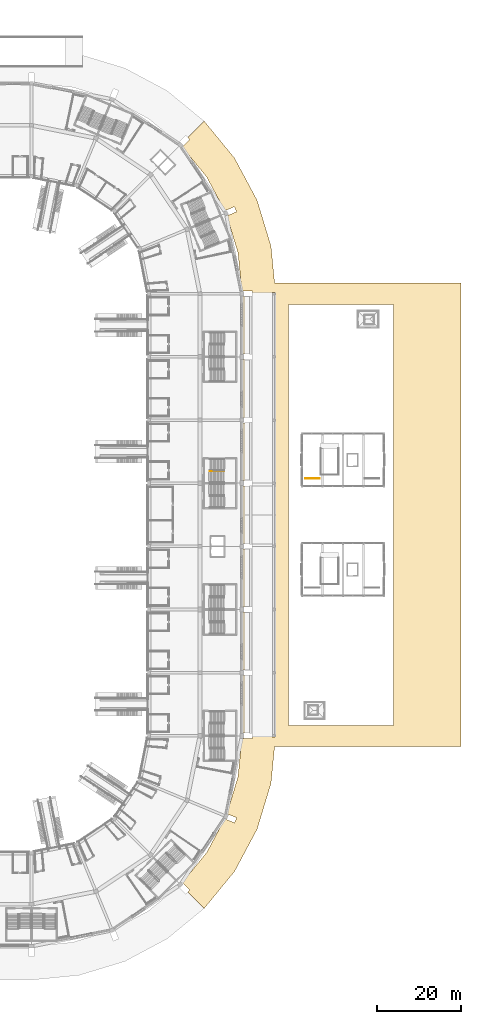
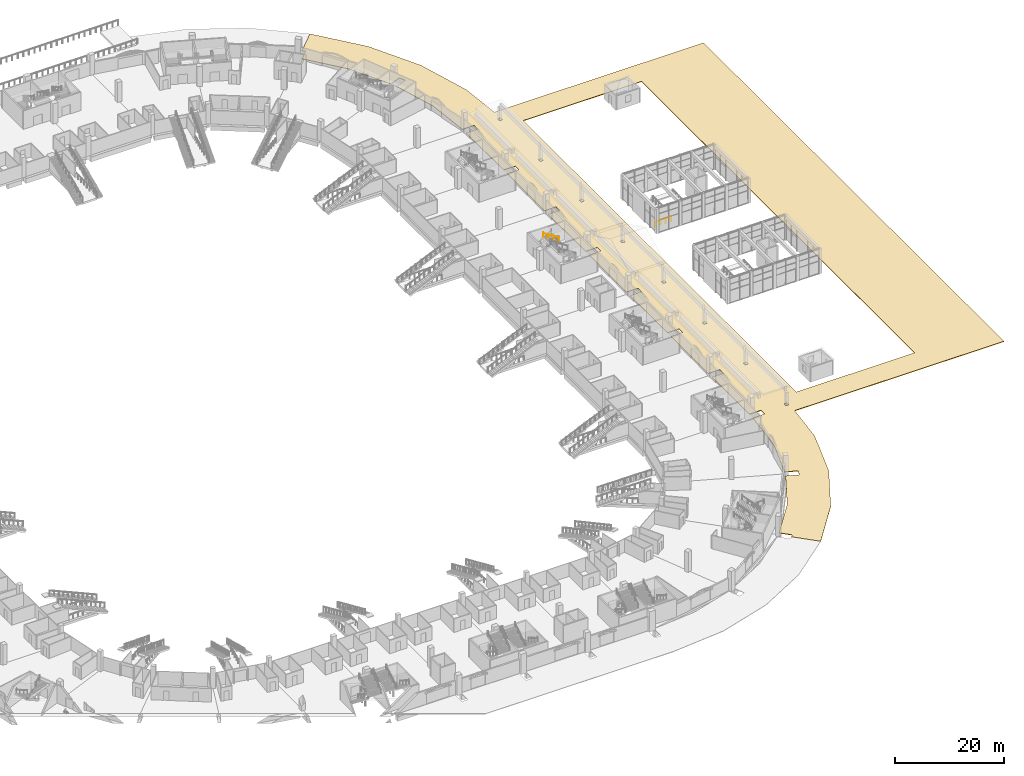
# One storey, part 162 of 175: 2 railings, 1 covering.
"""IFC4 building model written with IfcOpenShell, lengths in metres."""

from ifc_helpers import new_model, si_unit, direction, frame, origin, origin_2d, place, context, subcontext, project, spatial, polyline, circle, outline, extrude, material, layer, layer_set, type_object, element, save


model = new_model("IFC4")

# Units and contexts
model_context = context("Model", 3, precision=1e-05, world=origin(), true_north=direction((0.0, 1.0)))
body_context = subcontext(model_context, "Body", "Model", "MODEL_VIEW")
ifc_project = project(units=[si_unit("LENGTHUNIT", "METRE"), si_unit("AREAUNIT", "SQUARE_METRE"), si_unit("VOLUMEUNIT", "CUBIC_METRE"), si_unit("PLANEANGLEUNIT", "RADIAN"), si_unit("MASSUNIT", "GRAM", prefix="KILO")], contexts=[model_context])

# Site, building, storey
site_placement = place(None, origin())
site = spatial("IfcSite", under=ifc_project, at=site_placement, CompositionType="ELEMENT")
building_placement = place(site_placement, origin())
building = spatial("IfcBuilding", under=site, at=building_placement, Name="Ogive Plaza Stadium", CompositionType="ELEMENT")
storey_placement = place(building_placement, origin())
storey = spatial("IfcBuildingStorey", under=building, at=storey_placement, Name="L00", CompositionType="ELEMENT", Elevation=0.0)

# Railing
ifc_material_1 = material(Name="Steel ASTM A572 Grade 50", Category="steel")
railing_type_1 = type_object("IfcRailingType", Name="Handrail 900", PredefinedType="HANDRAIL", material=ifc_material_1)
railing_1_placement = place(storey_placement, frame((79.7099609375, 10.364990234375, 2.423095703125)))
element("IfcRailing", 1, at=railing_1_placement, inside=storey, type_object=railing_type_1, Name="Handrail ST04B L00", PredefinedType="HANDRAIL", context=body_context, shape_type="SweptSolid", body=[
    extrude(circle(Radius=0.02392578125, at=origin_2d()), frame((0.0, 0.0, 0.8759765625), z_axis=(-0.850606129759, 0.0, 0.525803396734), x_axis=(0.0, -1.0, 0.0)), (0.0, 0.0, 1.0), 3.949951171875),
    extrude(circle(Radius=0.02099609375, at=origin_2d()), origin(), (0.0, 0.0, 1.0), 0.851806640625),
    extrude(circle(Radius=0.02099609375, at=origin_2d()), frame((-1.119873046875, 0.0, 0.6923828125)), (0.0, 0.0, 1.0), 0.851806640625),
    extrude(circle(Radius=0.02099609375, at=origin_2d()), frame((-2.239990234375, 0.0, 1.384521484375)), (0.0, 0.0, 1.0), 0.851806640625),
    extrude(circle(Radius=0.02099609375, at=origin_2d()), frame((-3.35986328125, 0.0, 2.076904296875)), (0.0, 0.0, 1.0), 1.10009765625),
])

# Covering
ifc_material_2 = material(Name="Granite paving", Category="masonry")
ifc_layer = layer(ifc_material_2, 0.1201171875)
ifc_layer_set = layer_set([ifc_layer], Name="Paving 120")
covering_type = type_object("IfcCoveringType", Name="Paving 120", PredefinedType="USERDEFINED", material=ifc_layer_set)
covering_placement = place(storey_placement, frame((0.0, 0.0, -0.1201171875)))
element("IfcCovering", 2, at=covering_placement, inside=storey, type_object=covering_type, Name="Paving East and plaza 5", ObjectType="PAVING", PredefinedType="USERDEFINED", context=body_context, shape_type="SweptSolid", body=[
    extrude(outline(polyline([(69.779541015625, -87.3603515625), (69.678955078125, -87.4609375), (75.573486328125, -80.278564453125), (79.95361328125, -72.083984375), (79.89892578125, -72.215576171875), (82.208740234375, -73.17236328125), (82.706298828125, -71.97119140625), (80.396484375, -71.014404296875), (80.342041015625, -71.14599609375), (83.039306640625, -62.25439453125), (83.949951171875, -53.007568359375), (83.949951171875, -53.14990234375), (86.449951171875, -53.14990234375), (86.449951171875, -51.85009765625), (84.0, -51.85009765625), (84.0, -38.14990234375), (86.449951171875, -38.14990234375), (86.449951171875, -36.85009765625), (84.0, -36.85009765625), (84.0, -23.14990234375), (86.449951171875, -23.14990234375), (86.449951171875, -21.85009765625), (84.0, -21.85009765625), (84.0, -8.14990234375), (86.449951171875, -8.14990234375), (86.449951171875, -6.85009765625), (84.0, -6.85009765625), (84.0, 6.85009765625), (86.449951171875, 6.85009765625), (86.449951171875, 8.14990234375), (84.0, 8.14990234375), (84.0, 21.85009765625), (86.449951171875, 21.85009765625), (86.449951171875, 23.14990234375), (84.0, 23.14990234375), (84.0, 36.85009765625), (86.449951171875, 36.85009765625), (86.449951171875, 38.14990234375), (84.0, 38.14990234375), (84.0, 51.85009765625), (86.449951171875, 51.85009765625), (86.449951171875, 53.14990234375), (83.949951171875, 53.14990234375), (83.949951171875, 53.007568359375), (83.039306640625, 62.25439453125), (80.342041015625, 71.14599609375), (80.396484375, 71.014404296875), (82.706298828125, 71.97119140625), (82.208740234375, 73.17236328125), (79.89892578125, 72.215576171875), (79.95361328125, 72.083984375), (75.573486328125, 80.278564453125), (69.678955078125, 87.4609375), (69.779541015625, 87.3603515625), (71.54736328125, 89.128173828125), (71.087646484375, 89.587646484375), (75.01220703125, 93.51220703125), (75.01220703125, 93.51220703125), (82.225341796875, 84.72314453125), (87.5849609375, 74.695556640625), (90.885498046875, 63.815185546875), (91.753662109375, 55.0), (136.0, 55.0), (136.0, -55.0), (91.753662109375, -55.0), (90.885498046875, -63.815185546875), (87.5849609375, -74.695556640625), (82.225341796875, -84.72314453125), (75.01220703125, -93.51220703125), (75.01220703125, -93.51220703125), (71.087646484375, -89.587646484375), (71.54736328125, -89.128173828125), (69.779541015625, -87.3603515625)]), holes=[polyline([(91.179931640625, -52.179931640625), (91.179931640625, -52.820068359375), (91.820068359375, -52.820068359375), (91.820068359375, -52.179931640625), (91.179931640625, -52.179931640625)]), polyline([(91.179931640625, -37.179931640625), (91.179931640625, -37.820068359375), (91.820068359375, -37.820068359375), (91.820068359375, -37.179931640625), (91.179931640625, -37.179931640625)]), polyline([(91.179931640625, -22.820068359375), (91.820068359375, -22.820068359375), (91.820068359375, -22.179931640625), (91.179931640625, -22.179931640625), (91.179931640625, -22.820068359375)]), polyline([(91.179931640625, -7.179931640625), (91.179931640625, -7.820068359375), (91.820068359375, -7.820068359375), (91.820068359375, -7.179931640625), (91.179931640625, -7.179931640625)]), polyline([(95.0, 50.0), (95.0, -50.0), (120.0, -50.0), (120.0, 50.0), (95.0, 50.0)]), polyline([(91.179931640625, 7.179931640625), (91.820068359375, 7.179931640625), (91.820068359375, 7.820068359375), (91.179931640625, 7.820068359375), (91.179931640625, 7.179931640625)]), polyline([(91.179931640625, 22.820068359375), (91.179931640625, 22.179931640625), (91.820068359375, 22.179931640625), (91.820068359375, 22.820068359375), (91.179931640625, 22.820068359375)]), polyline([(91.179931640625, 37.820068359375), (91.179931640625, 37.179931640625), (91.820068359375, 37.179931640625), (91.820068359375, 37.820068359375), (91.179931640625, 37.820068359375)]), polyline([(91.179931640625, 52.820068359375), (91.179931640625, 52.179931640625), (91.820068359375, 52.179931640625), (91.820068359375, 52.820068359375), (91.179931640625, 52.820068359375)])]), origin(), (0.0, 0.0, 1.0), 0.1201171875),
])

# Railing
ifc_material_3 = material(Name="Stainless steel", Category="steel")
railing_type_2 = type_object("IfcRailingType", Name="Station guard 1100", PredefinedType="GUARDRAIL", material=ifc_material_3)
railing_2_placement = place(storey_placement, frame((99.0, 8.63623046875, 0.0)))
element("IfcRailing", 3, at=railing_2_placement, inside=storey, type_object=railing_type_2, Name="Station guard 1100 GR-QS3", PredefinedType="GUARDRAIL", context=body_context, shape_type="SweptSolid", body=[
    extrude(circle(Radius=0.02392578125, at=origin_2d()), frame((0.0, 0.0, 1.076171875), z_axis=(1.0, 0.0, 0.0), x_axis=(0.0, 1.0, 0.0)), (0.0, 0.0, 1.0), 3.39990234375),
    extrude(circle(Radius=0.02099609375, at=origin_2d()), origin(), (0.0, 0.0, 1.0), 1.052001953125),
    extrude(circle(Radius=0.02099609375, at=origin_2d()), frame((1.13330078125, 0.0, 0.0)), (0.0, 0.0, 1.0), 1.052001953125),
    extrude(circle(Radius=0.02099609375, at=origin_2d()), frame((2.2666015625, 0.0, 0.0)), (0.0, 0.0, 1.0), 1.052001953125),
    extrude(circle(Radius=0.02099609375, at=origin_2d()), frame((3.39990234375, 0.0, 0.0)), (0.0, 0.0, 1.0), 1.052001953125),
])

save(model, "model.ifc")
